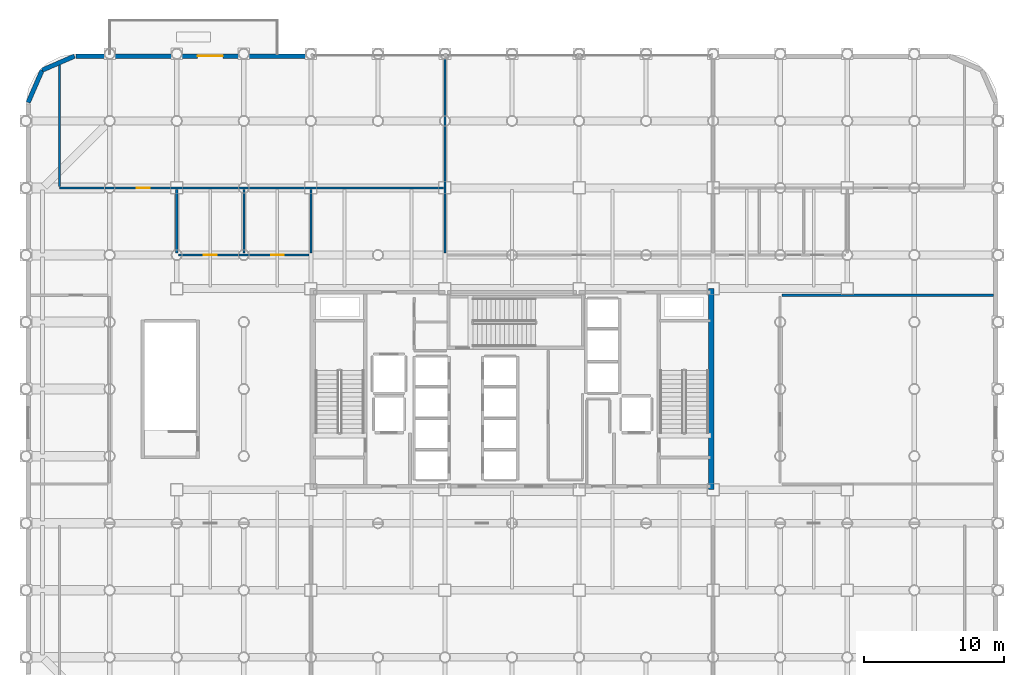
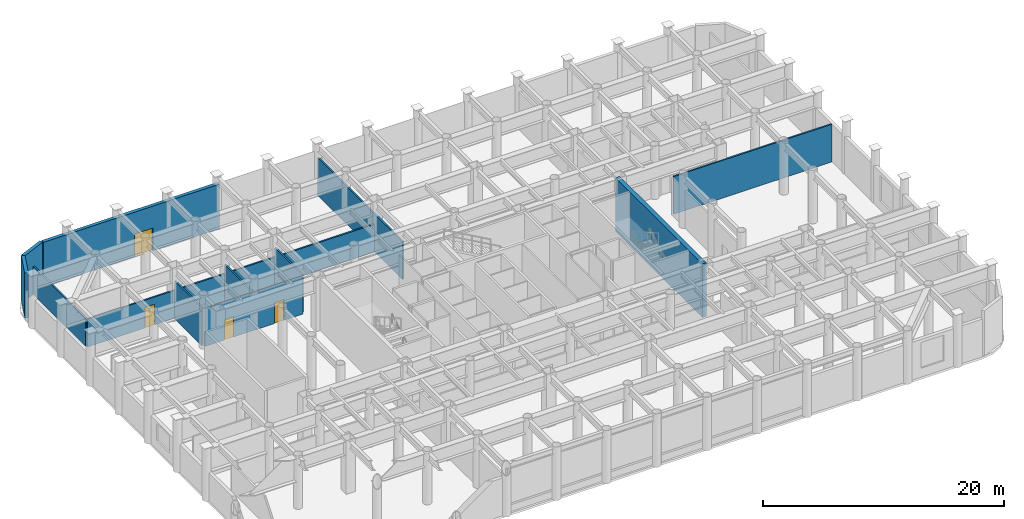
# One storey, part 16 of 20: 12 walls, 4 doors, 4 openings.
"""IFC4 building model written with IfcOpenShell, lengths in metres."""

from ifc_helpers import new_model, si_unit, direction, frame, frame_2d, origin, place, context, subcontext, project, spatial, rectangle, extrude, material, layer, layer_set, type_object, element, fill, save


model = new_model("IFC4")

# Units and contexts
model_context = context("Model", 3, precision=1e-05, world=origin(), true_north=direction((0.0, 1.0)))
body_context = subcontext(model_context, "Body", "Model", "MODEL_VIEW")
ifc_project = project(units=[si_unit("LENGTHUNIT", "METRE"), si_unit("AREAUNIT", "SQUARE_METRE"), si_unit("VOLUMEUNIT", "CUBIC_METRE"), si_unit("PLANEANGLEUNIT", "RADIAN"), si_unit("MASSUNIT", "GRAM", prefix="KILO")], contexts=[model_context])

# Site, building, storey
site_placement = place(None, origin())
site = spatial("IfcSite", under=ifc_project, at=site_placement, CompositionType="ELEMENT")
building_placement = place(site_placement, origin())
building = spatial("IfcBuilding", under=site, at=building_placement, Name="Kallvorn Hotel Tower", CompositionType="ELEMENT")
storey_placement = place(building_placement, frame((0.0, 0.0, 24.60009765625)))
storey = spatial("IfcBuildingStorey", under=building, at=storey_placement, Name="L04", CompositionType="ELEMENT", Elevation=24.60009765625)

# Wall
ifc_material_1 = material(Name="Concrete C50/60", Category="concrete")
ifc_layer_1 = layer(ifc_material_1, 0.39990234375)
ifc_layer_set_1 = layer_set([ifc_layer_1], Name="WL_CORE_400")
wall_type_1 = type_object("IfcWallType", Name="WL_CORE_400", PredefinedType="SHEAR", material=ifc_layer_set_1)
wall_1_placement = place(storey_placement, frame((14.264892578125, -7.199951171875, -0.22021484375), z_axis=(0.0, 0.0, 1.0), x_axis=(0.0, 1.0, 0.0)))
element("IfcWall", 1, at=wall_1_placement, inside=storey, type_object=wall_type_1, Name="L04 Core East Shear Wall", PredefinedType="SHEAR", context=body_context, shape_type="SweptSolid", body=[
    extrude(rectangle(XDim=14.39990234375, YDim=0.39990234375, at=frame_2d((7.199951171875, 0.0))), origin(), (0.0, 0.0, 1.0), 5.440185546875),
])

# Wall, opening, door
ifc_material_2 = material(Name="Precast basalt-clad insulated concrete wall C40/50", Category="masonry")
ifc_layer_2 = layer(ifc_material_2, 0.320068359375)
ifc_layer_set_2 = layer_set([ifc_layer_2], Name="WL_EXT_BAY_320")
wall_type_2 = type_object("IfcWallType", Name="WL_EXT_BAY_320", PredefinedType="SOLIDWALL", material=ifc_layer_set_2)
wall_2_placement = place(storey_placement, frame((-31.199951171875, 23.840087890625, 0.0), z_axis=(0.0, 0.0, 1.0), x_axis=(1.0, 0.0, 0.0)))
wall_2 = element("IfcWall", 2, at=wall_2_placement, inside=storey, type_object=wall_type_2, Name="L04 Podium Exterior Wall EW-L04-NW", PredefinedType="SOLIDWALL", context=body_context, shape_type="SweptSolid", body=[
    extrude(rectangle(XDim=16.849853515625, YDim=0.320068359375, at=frame_2d((8.4248046875, 0.0))), origin(), (0.0, 0.0, 1.0), 4.52001953125),
])
opening_1_placement = place(wall_2_placement, frame((8.699951171875, 0.0, 0.0)))
opening_1 = element("IfcOpeningElement", 3, at=opening_1_placement, cuts=wall_2, Name="Opening TD1", PredefinedType="OPENING", context=body_context, shape_type="SweptSolid", body=[
    extrude(rectangle(XDim=1.800048828125, YDim=2.300048828125, at=frame_2d((0.89990234375, 1.14990234375))), frame((0.0, 0.175048828125, 0.0), z_axis=(0.0, -1.0, 0.0), x_axis=(1.0, 0.0, 0.0)), (0.0, 0.0, 1.0), 0.35009765625),
])
ifc_material_3 = material(Name="Double-glazed low-e solar-control dark glass", Category="glass")
door_type_1 = type_object("IfcDoorType", Name="DR_TERR_GLZ_1800x2300", OperationType="DOUBLE_DOOR_SINGLE_SWING", PredefinedType="DOOR", material=ifc_material_3)
door_1_placement = place(opening_1_placement, origin())
door_1 = element("IfcDoor", 4, at=door_1_placement, inside=storey, type_object=door_type_1, Name="L04 Terrace Garden Access Door 1", OperationType="DOUBLE_DOOR_SINGLE_SWING", OverallHeight=2.300048828125, OverallWidth=1.800048828125, PredefinedType="DOOR", context=body_context, shape_type="SweptSolid", body=[
    extrude(rectangle(XDim=1.800048828125, YDim=2.300048828125, at=frame_2d((0.89990234375, 1.14990234375))), frame((0.0, 0.02490234375, 0.0), z_axis=(0.0, -1.0, 0.0), x_axis=(1.0, 0.0, 0.0)), (0.0, 0.0, 1.0), 0.050048828125),
])
fill(opening_1, door_1)

# Walls
wall_3_placement = place(storey_placement, frame((-31.320068359375, 23.837890625, 0.0), z_axis=(0.0, 0.0, 1.0), x_axis=(-0.917063898521, -0.3987402739, 0.0)))
element("IfcWall", 5, at=wall_3_placement, inside=storey, type_object=wall_type_2, Name="L04 Rounded Corner Exterior Wall NW1", PredefinedType="SOLIDWALL", context=body_context, shape_type="SweptSolid", body=[
    extrude(rectangle(XDim=2.521484375, YDim=0.320068359375, at=frame_2d((1.2607421875, 0.0))), origin(), (0.0, 0.0, 1.0), 4.56982421875),
])
wall_4_placement = place(storey_placement, frame((-33.63232421875, 22.83251953125, 0.0), z_axis=(0.0, 0.0, 1.0), x_axis=(-0.398786293654, -0.917043887714, 0.0)))
element("IfcWall", 6, at=wall_4_placement, inside=storey, type_object=wall_type_2, Name="L04 Rounded Corner Exterior Wall NW2", PredefinedType="SOLIDWALL", context=body_context, shape_type="SweptSolid", body=[
    extrude(rectangle(XDim=2.521728515625, YDim=0.320068359375, at=frame_2d((1.2607421875, 0.0))), origin(), (0.0, 0.0, 1.0), 4.56982421875),
])
ifc_material_4 = material(Name="Fire-rated double-layer acoustic gypsum drywall EI 60")
ifc_layer_3 = layer(ifc_material_4, 0.14990234375)
ifc_layer_set_3 = layer_set([ifc_layer_3], Name="WL_PART_150")
wall_type_3 = type_object("IfcWallType", Name="WL_PART_150", PredefinedType="PARTITIONING", material=ifc_layer_set_3)
wall_5_placement = place(storey_placement, frame((19.320068359375, 6.716796875, 0.0), z_axis=(0.0, 0.0, 1.0), x_axis=(1.0, 0.0, 0.0)))
element("IfcWall", 7, at=wall_5_placement, inside=storey, type_object=wall_type_3, Name="L04 East Pilates and Recovery Studio Partition", PredefinedType="PARTITIONING", context=body_context, shape_type="SweptSolid", body=[
    extrude(rectangle(XDim=15.14990234375, YDim=0.14990234375, at=frame_2d((7.574951171875, 0.0))), origin(), (0.0, 0.0, 1.0), 3.81982421875),
])

# Wall, openings, doors
wall_6_placement = place(storey_placement, frame((-23.8798828125, 9.60009765625, 0.0), z_axis=(0.0, 0.0, 1.0), x_axis=(1.0, 0.0, 0.0)))
wall_6 = element("IfcWall", 8, at=wall_6_placement, inside=storey, type_object=wall_type_3, Name="L04 Botanical Massage Treatment Room 1 Partition", PredefinedType="PARTITIONING", context=body_context, shape_type="SweptSolid", body=[
    extrude(rectangle(XDim=9.35986328125, YDim=0.14990234375, at=frame_2d((4.679931640625, 0.0))), origin(), (0.0, 0.0, 1.0), 3.81982421875),
])
opening_2_placement = place(wall_6_placement, frame((1.830078125, 0.0, 0.0)))
opening_2 = element("IfcOpeningElement", 9, at=opening_2_placement, cuts=wall_6, Name="Opening SVD1", PredefinedType="OPENING", context=body_context, shape_type="SweptSolid", body=[
    extrude(rectangle(XDim=0.89990234375, YDim=2.10009765625, at=frame_2d((0.449951171875, 1.050048828125))), frame((0.0, 0.08984375, 0.0), z_axis=(0.0, -1.0, 0.0), x_axis=(1.0, 0.0, 0.0)), (0.0, 0.0, 1.0), 0.179931640625),
])
opening_3_placement = place(wall_6_placement, frame((6.6298828125, 0.0, 0.0)))
opening_3 = element("IfcOpeningElement", 10, at=opening_3_placement, cuts=wall_6, Name="Opening SVD1", PredefinedType="OPENING", context=body_context, shape_type="SweptSolid", body=[
    extrude(rectangle(XDim=0.89990234375, YDim=2.10009765625, at=frame_2d((0.449951171875, 1.050048828125))), frame((0.0, 0.08984375, 0.0), z_axis=(0.0, -1.0, 0.0), x_axis=(1.0, 0.0, 0.0)), (0.0, 0.0, 1.0), 0.179931640625),
])
ifc_material_5 = material(Name="Galvanised painted steel fire-rated door assembly", Category="steel")
door_type_2 = type_object("IfcDoorType", Name="DR_SERV_900x2100", OperationType="NOTDEFINED", PredefinedType="DOOR", material=ifc_material_5)
door_2_placement = place(opening_2_placement, origin())
door_2 = element("IfcDoor", 11, at=door_2_placement, inside=storey, type_object=door_type_2, Name="L04 Botanical Massage Treatment Room 1 Door", OperationType="SINGLE_SWING_LEFT", OverallHeight=2.10009765625, OverallWidth=0.89990234375, PredefinedType="DOOR", context=body_context, shape_type="SweptSolid", body=[
    extrude(rectangle(XDim=0.89990234375, YDim=2.10009765625, at=frame_2d((0.449951171875, 1.050048828125))), frame((0.0, 0.02490234375, 0.0), z_axis=(0.0, -1.0, 0.0), x_axis=(1.0, 0.0, 0.0)), (0.0, 0.0, 1.0), 0.050048828125),
])
fill(opening_2, door_2)
door_3_placement = place(opening_3_placement, origin())
door_3 = element("IfcDoor", 12, at=door_3_placement, inside=storey, type_object=door_type_2, Name="L04 Botanical Massage Treatment Room 2 Door", OperationType="SINGLE_SWING_LEFT", OverallHeight=2.10009765625, OverallWidth=0.89990234375, PredefinedType="DOOR", context=body_context, shape_type="SweptSolid", body=[
    extrude(rectangle(XDim=0.89990234375, YDim=2.10009765625, at=frame_2d((0.449951171875, 1.050048828125))), frame((0.0, 0.02490234375, 0.0), z_axis=(0.0, -1.0, 0.0), x_axis=(1.0, 0.0, 0.0)), (0.0, 0.0, 1.0), 0.050048828125),
])
fill(opening_3, door_3)

# Wall, opening, door
wall_7_placement = place(storey_placement, frame((-32.39990234375, 14.39990234375, 0.0), z_axis=(0.0, 0.0, 1.0), x_axis=(1.0, 0.0, 0.0)))
wall_7 = element("IfcWall", 13, at=wall_7_placement, inside=storey, type_object=wall_type_3, Name="L04 Hydrotherapy Relaxation Pavilion Partition", PredefinedType="PARTITIONING", context=body_context, shape_type="SweptSolid", body=[
    extrude(rectangle(XDim=27.47998046875, YDim=0.14990234375, at=frame_2d((13.739990234375, 0.0))), origin(), (0.0, 0.0, 1.0), 2.81982421875),
])
opening_4_placement = place(wall_7_placement, frame((5.550048828125, 0.0, 0.0)))
opening_4 = element("IfcOpeningElement", 14, at=opening_4_placement, cuts=wall_7, Name="Opening SVD1", PredefinedType="OPENING", context=body_context, shape_type="SweptSolid", body=[
    extrude(rectangle(XDim=0.89990234375, YDim=2.10009765625, at=frame_2d((0.449951171875, 1.050048828125))), frame((0.0, 0.08984375, 0.0), z_axis=(0.0, -1.0, 0.0), x_axis=(1.0, 0.0, 0.0)), (0.0, 0.0, 1.0), 0.179931640625),
])
door_4_placement = place(opening_4_placement, origin())
door_4 = element("IfcDoor", 15, at=door_4_placement, inside=storey, type_object=door_type_2, Name="L04 Hydrotherapy Relaxation Pavilion Door", OperationType="SINGLE_SWING_LEFT", OverallHeight=2.10009765625, OverallWidth=0.89990234375, PredefinedType="DOOR", context=body_context, shape_type="SweptSolid", body=[
    extrude(rectangle(XDim=0.89990234375, YDim=2.10009765625, at=frame_2d((0.449951171875, 1.050048828125))), frame((0.0, 0.02490234375, 0.0), z_axis=(0.0, -1.0, 0.0), x_axis=(1.0, 0.0, 0.0)), (0.0, 0.0, 1.0), 0.050048828125),
])
fill(opening_4, door_4)

# Walls
wall_8_placement = place(storey_placement, frame((-32.39990234375, 14.52001953125, 0.0), z_axis=(0.0, 0.0, 1.0), x_axis=(0.0, 1.0, 0.0)))
element("IfcWall", 16, at=wall_8_placement, inside=storey, type_object=wall_type_3, Name="L04 Hydrotherapy Relaxation Pavilion Partition", PredefinedType="PARTITIONING", context=body_context, shape_type="SweptSolid", body=[
    extrude(rectangle(XDim=8.67822265625, YDim=0.14990234375, at=frame_2d((4.339111328125, 0.0))), origin(), (0.0, 0.0, 1.0), 2.81982421875),
])
for number, where, z_axis, x_axis, name in (
    (17, (-24.0, 9.75, 0.0), (0.0, 0.0, 1.0), (0.0, 1.0, 0.0), "L04 Botanical Massage Treatment Room 1 Partition"),
    (18, (-19.199951171875, 9.75, 0.0), (0.0, 0.0, 1.0), (0.0, 1.0, 0.0), "L04 Botanical Massage Treatment Room 1 Partition"),
    (19, (-14.39990234375, 9.75, 0.0), (0.0, 0.0, 1.0), (0.0, 1.0, 0.0), "L04 Botanical Massage Treatment Room 2 Partition"),
):
    element("IfcWall", number, at=place(storey_placement, frame(where, z_axis=z_axis, x_axis=x_axis)), inside=storey, type_object=wall_type_3, Name=name, PredefinedType="PARTITIONING", context=body_context, shape_type="SweptSolid", body=[
        extrude(rectangle(XDim=4.530029296875, YDim=0.14990234375, at=frame_2d((2.26513671875, 0.0))), origin(), (0.0, 0.0, 1.0), 3.81982421875),
    ])
wall_9_placement = place(storey_placement, frame((-4.800048828125, 9.75, 0.0), z_axis=(0.0, 0.0, 1.0), x_axis=(0.0, 1.0, 0.0)))
element("IfcWall", 20, at=wall_9_placement, inside=storey, type_object=wall_type_3, Name="L04 Yoga and Movement Gymnasium Partition", PredefinedType="PARTITIONING", context=body_context, shape_type="SweptSolid", body=[
    extrude(rectangle(XDim=14.044921875, YDim=0.14990234375, at=frame_2d((7.0224609375, 0.0))), origin(), (0.0, 0.0, 1.0), 3.81982421875),
])

save(model, "model.ifc")
